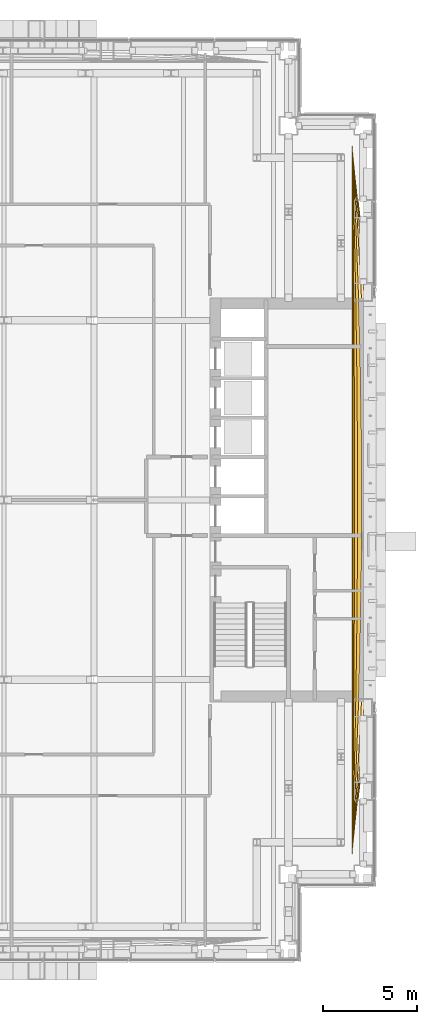
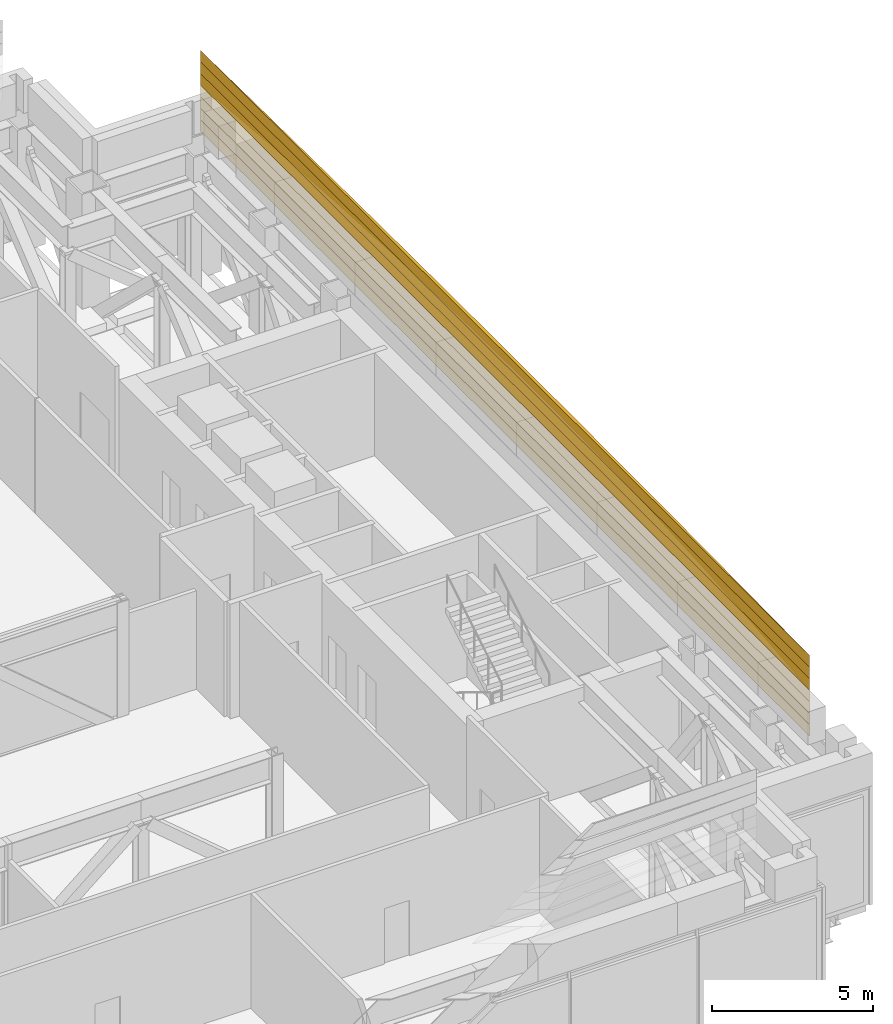
# One storey, part 30 of 39: 7 coverings.
"""IFC4 building model written with IfcOpenShell, lengths in metres."""

from ifc_helpers import new_model, si_unit, direction, frame, origin, place, context, subcontext, project, spatial, polyline, outline, extrude, material, type_object, element, save


model = new_model("IFC4")

# Units and contexts
model_context = context("Model", 3, precision=1e-05, world=origin(), true_north=direction((0.0, 1.0)))
body_context = subcontext(model_context, "Body", "Model", "MODEL_VIEW")
ifc_project = project(units=[si_unit("LENGTHUNIT", "METRE"), si_unit("AREAUNIT", "SQUARE_METRE"), si_unit("VOLUMEUNIT", "CUBIC_METRE"), si_unit("PLANEANGLEUNIT", "RADIAN"), si_unit("MASSUNIT", "GRAM", prefix="KILO")], contexts=[model_context])

# Site, building, storey
site_placement = place(None, origin())
site = spatial("IfcSite", under=ifc_project, at=site_placement, CompositionType="ELEMENT")
building_placement = place(site_placement, origin())
building = spatial("IfcBuilding", under=site, at=building_placement, Name="Cobrizo Arcos Hotel Tower", CompositionType="ELEMENT")
storey_placement = place(building_placement, frame((0.0, 0.0, 84.5)))
storey = spatial("IfcBuildingStorey", under=building, at=storey_placement, Name="L20", CompositionType="ELEMENT", Elevation=84.5)

# Coverings
ifc_material = material(Name="Aluminium 6063-T6 anodised pale", Category="aluminium")
covering_type = type_object("IfcCoveringType", Name="LF-2 setback roll course", PredefinedType="CLADDING", material=ifc_material)
covering_1_placement = place(storey_placement, frame((0.0, 0.0, 5.75)))
element("IfcCovering", 1, at=covering_1_placement, inside=storey, type_object=covering_type, Name="Setback roll L20 E", PredefinedType="CLADDING", context=body_context, shape_type="SweptSolid", body=[
    extrude(outline(polyline([(23.39990234375, -18.89990234375), (23.844970703125, -15.1201171875), (24.19091796875, -11.340087890625), (24.438232421875, -7.56005859375), (24.58642578125, -3.780029296875), (24.635986328125, 0.0), (24.58642578125, 3.780029296875), (24.438232421875, 7.56005859375), (24.19091796875, 11.340087890625), (23.844970703125, 15.1201171875), (23.39990234375, 18.89990234375), (23.39990234375, 18.89990234375), (23.39990234375, -18.89990234375)])), origin(), (0.0, 0.0, 1.0), 0.4375),
])
covering_2_placement = place(storey_placement, frame((0.0, 0.0, 6.1875)))
element("IfcCovering", 2, at=covering_2_placement, inside=storey, type_object=covering_type, Name="Setback roll L20 E", PredefinedType="CLADDING", context=body_context, shape_type="SweptSolid", body=[
    extrude(outline(polyline([(23.39990234375, -18.89990234375), (23.80859375, -15.1201171875), (24.126220703125, -11.340087890625), (24.35302734375, -7.56005859375), (24.4892578125, -3.780029296875), (24.53466796875, 0.0), (24.4892578125, 3.780029296875), (24.35302734375, 7.56005859375), (24.126220703125, 11.340087890625), (23.80859375, 15.1201171875), (23.39990234375, 18.89990234375), (23.39990234375, 18.89990234375), (23.39990234375, -18.89990234375)])), origin(), (0.0, 0.0, 1.0), 0.4375),
])
covering_3_placement = place(storey_placement, frame((0.0, 0.0, 6.625)))
element("IfcCovering", 3, at=covering_3_placement, inside=storey, type_object=covering_type, Name="Setback roll L20 E", PredefinedType="CLADDING", context=body_context, shape_type="SweptSolid", body=[
    extrude(outline(polyline([(23.39990234375, -18.89990234375), (23.74560546875, -15.1201171875), (24.014404296875, -11.340087890625), (24.20654296875, -7.56005859375), (24.32177734375, -3.780029296875), (24.360107421875, 0.0), (24.32177734375, 3.780029296875), (24.20654296875, 7.56005859375), (24.014404296875, 11.340087890625), (23.74560546875, 15.1201171875), (23.39990234375, 18.89990234375), (23.39990234375, 18.89990234375), (23.39990234375, -18.89990234375)])), origin(), (0.0, 0.0, 1.0), 0.4375),
])
covering_4_placement = place(storey_placement, frame((0.0, 0.0, 7.0625)))
element("IfcCovering", 4, at=covering_4_placement, inside=storey, type_object=covering_type, Name="Setback roll L20 E", PredefinedType="CLADDING", context=body_context, shape_type="SweptSolid", body=[
    extrude(outline(polyline([(23.39990234375, -18.89990234375), (23.6669921875, -15.1201171875), (23.87451171875, -11.340087890625), (24.02294921875, -7.56005859375), (24.11181640625, -3.780029296875), (24.1416015625, 0.0), (24.11181640625, 3.780029296875), (24.02294921875, 7.56005859375), (23.87451171875, 11.340087890625), (23.6669921875, 15.1201171875), (23.39990234375, 18.89990234375), (23.39990234375, 18.89990234375), (23.39990234375, -18.89990234375)])), origin(), (0.0, 0.0, 1.0), 0.4375),
])
covering_5_placement = place(storey_placement, frame((0.0, 0.0, 7.5)))
element("IfcCovering", 5, at=covering_5_placement, inside=storey, type_object=covering_type, Name="Setback roll L20 E", PredefinedType="CLADDING", context=body_context, shape_type="SweptSolid", body=[
    extrude(outline(polyline([(23.39990234375, -18.89990234375), (23.5830078125, -15.1201171875), (23.725341796875, -11.340087890625), (23.8271484375, -7.56005859375), (23.88818359375, -3.780029296875), (23.908447265625, 0.0), (23.88818359375, 3.780029296875), (23.8271484375, 7.56005859375), (23.725341796875, 11.340087890625), (23.5830078125, 15.1201171875), (23.39990234375, 18.89990234375), (23.39990234375, 18.89990234375), (23.39990234375, -18.89990234375)])), origin(), (0.0, 0.0, 1.0), 0.4375),
])
covering_6_placement = place(storey_placement, frame((0.0, 0.0, 7.9375)))
element("IfcCovering", 6, at=covering_6_placement, inside=storey, type_object=covering_type, Name="Setback roll L20 E", PredefinedType="CLADDING", context=body_context, shape_type="SweptSolid", body=[
    extrude(outline(polyline([(23.39990234375, -18.89990234375), (23.50439453125, -15.1201171875), (23.58544921875, -11.340087890625), (23.6435546875, -7.56005859375), (23.67822265625, -3.780029296875), (23.68994140625, 0.0), (23.67822265625, 3.780029296875), (23.6435546875, 7.56005859375), (23.58544921875, 11.340087890625), (23.50439453125, 15.1201171875), (23.39990234375, 18.89990234375), (23.39990234375, 18.89990234375), (23.39990234375, -18.89990234375)])), origin(), (0.0, 0.0, 1.0), 0.4375),
])
covering_7_placement = place(storey_placement, frame((0.0, 0.0, 8.375)))
element("IfcCovering", 7, at=covering_7_placement, inside=storey, type_object=covering_type, Name="Setback roll L20 E", PredefinedType="CLADDING", context=body_context, shape_type="SweptSolid", body=[
    extrude(outline(polyline([(23.39990234375, -18.89990234375), (23.44140625, -15.1201171875), (23.473876953125, -11.340087890625), (23.496826171875, -7.56005859375), (23.5107421875, -3.780029296875), (23.515380859375, 0.0), (23.5107421875, 3.780029296875), (23.496826171875, 7.56005859375), (23.473876953125, 11.340087890625), (23.44140625, 15.1201171875), (23.39990234375, 18.89990234375), (23.39990234375, 18.89990234375), (23.39990234375, -18.89990234375)])), origin(), (0.0, 0.0, 1.0), 0.4375),
])

save(model, "model.ifc")
